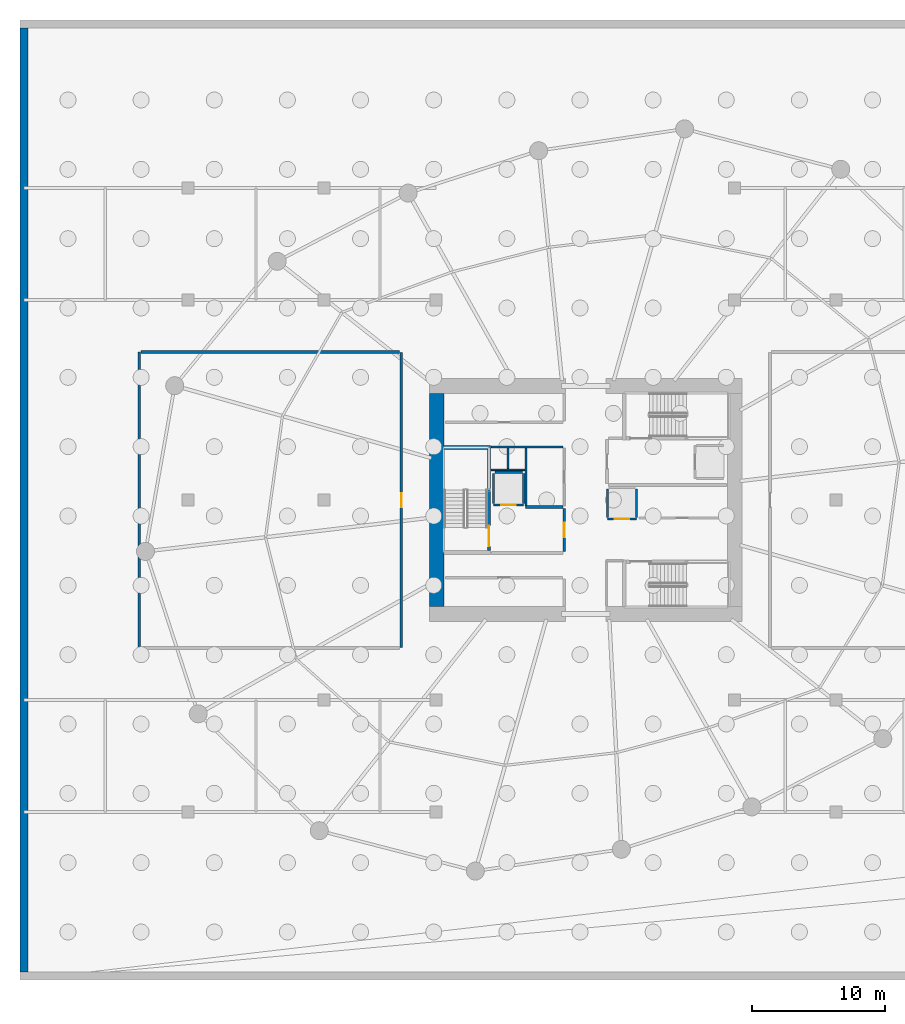
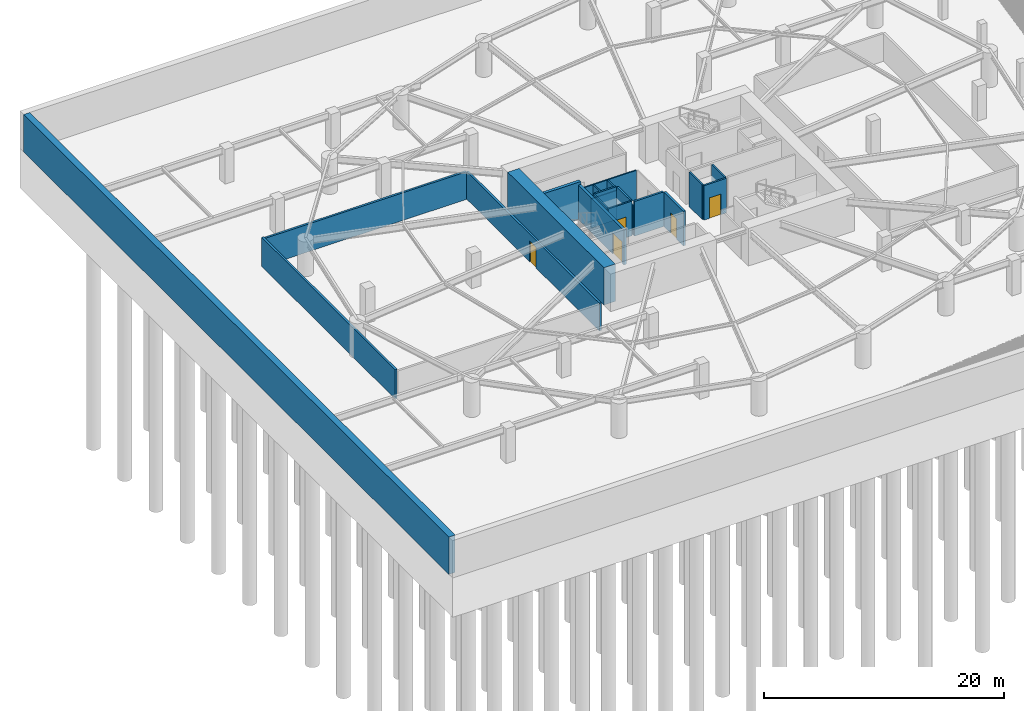
# One storey, part 8 of 12: 20 walls, 5 doors, 5 openings.
"""IFC4 building model written with IfcOpenShell, lengths in metres."""

from ifc_helpers import new_model, si_unit, direction, frame, frame_2d, origin, place, context, subcontext, project, spatial, rectangle, extrude, material, layer, layer_set, type_object, element, fill, save


model = new_model("IFC4")

# Units and contexts
model_context = context("Model", 3, precision=1e-05, world=origin(), true_north=direction((0.0, 1.0)))
body_context = subcontext(model_context, "Body", "Model", "MODEL_VIEW")
ifc_project = project(units=[si_unit("LENGTHUNIT", "METRE"), si_unit("AREAUNIT", "SQUARE_METRE"), si_unit("VOLUMEUNIT", "CUBIC_METRE"), si_unit("PLANEANGLEUNIT", "RADIAN"), si_unit("MASSUNIT", "GRAM", prefix="KILO")], contexts=[model_context])

# Site, building, storey
site_placement = place(None, origin())
site = spatial("IfcSite", under=ifc_project, at=site_placement, CompositionType="ELEMENT")
building_placement = place(site_placement, origin())
building = spatial("IfcBuilding", under=site, at=building_placement, Name="Kazma Halo Residences", CompositionType="ELEMENT")
storey_placement = place(building_placement, frame((0.0, 0.0, -7.60009765625)))
storey = spatial("IfcBuildingStorey", under=building, at=storey_placement, Name="B02", CompositionType="ELEMENT", Elevation=-7.60009765625)

# Walls
ifc_material_1 = material(Name="Concrete C80/95", Category="concrete")
ifc_layer_1 = layer(ifc_material_1, 1.10009765625)
ifc_layer_set_1 = layer_set([ifc_layer_1], Name="Concrete C80/95")
wall_type_1 = type_object("IfcWallType", Name="WL-CORE-1100", PredefinedType="SHEAR", material=ifc_layer_set_1)
wall_1_placement = place(storey_placement, frame((37.25, 34.0, 0.0), z_axis=(0.0, 0.0, 1.0), x_axis=(0.0, 1.0, 0.0)))
element("IfcWall", 1, at=wall_1_placement, inside=storey, type_object=wall_type_1, Name="B02 central core shear wall W", PredefinedType="SHEAR", context=body_context, shape_type="SweptSolid", body=[
    extrude(rectangle(XDim=16.0, YDim=1.10009765625, at=frame_2d((8.0, 0.0))), origin(), (0.0, 0.0, 1.0), 3.800048828125),
])
ifc_material_2 = material(Name="Concrete C60/75", Category="concrete")
ifc_layer_2 = layer(ifc_material_2, 0.280029296875)
ifc_layer_set_2 = layer_set([ifc_layer_2], Name="Concrete C60/75")
wall_type_2 = type_object("IfcWallType", Name="WL-CORE-ST-280", PredefinedType="SHEAR", material=ifc_layer_set_2)
wall_2_placement = place(storey_placement, frame((37.800048828125, 45.93994140625, 0.0), z_axis=(0.0, 0.0, 1.0), x_axis=(1.0, 0.0, 0.0)))
element("IfcWall", 2, at=wall_2_placement, inside=storey, type_object=wall_type_2, Name="B02 stairwell bearing wall ST01-N", PredefinedType="SHEAR", context=body_context, shape_type="SweptSolid", body=[
    extrude(rectangle(XDim=3.5, YDim=0.280029296875, at=frame_2d((1.75, 0.0))), origin(), (0.0, 0.0, 1.0), 3.800048828125),
])

# Wall, opening, door
ifc_material_3 = material(Name="Fire-Rated Blockwork Masonry", Category="masonry")
ifc_layer_3 = layer(ifc_material_3, 0.199951171875)
ifc_layer_set_3 = layer_set([ifc_layer_3], Name="Fire-Rated Blockwork Masonry")
wall_type_3 = type_object("IfcWallType", Name="WL-FLB-200", PredefinedType="PARTITIONING", material=ifc_layer_set_3)
wall_3_placement = place(storey_placement, frame((43.780029296875, 41.6201171875, 0.0), z_axis=(0.0, 0.0, 1.0), x_axis=(-1.0, 0.0, 0.0)))
wall_3 = element("IfcWall", 3, at=wall_3_placement, inside=storey, type_object=wall_type_3, Name="B02 lift shaft FL-01 front wall", PredefinedType="PARTITIONING", context=body_context, shape_type="SweptSolid", body=[
    extrude(rectangle(XDim=2.260009765625, YDim=0.159912109375, at=frame_2d((1.1298828125, 0.0))), origin(), (0.0, 0.0, 1.0), 3.52001953125),
])
opening_1_placement = place(wall_3_placement, frame((0.580078125, 0.0, 0.0)))
opening_1 = element("IfcOpeningElement", 4, at=opening_1_placement, cuts=wall_3, Name="Opening LD-FL-01", PredefinedType="OPENING", context=body_context, shape_type="SweptSolid", body=[
    extrude(rectangle(XDim=1.10009765625, YDim=2.10009765625, at=frame_2d((0.550048828125, 1.050048828125))), frame((0.0, 0.08984375, 0.0), z_axis=(0.0, -1.0, 0.0), x_axis=(1.0, 0.0, 0.0)), (0.0, 0.0, 1.0), 0.179931640625),
])
ifc_material_4 = material(Name="Stainless Steel Fire-Rated", Category="steel")
door_type_1 = type_object("IfcDoorType", Name="DR-LIFT-SLD-1100", OperationType="DOUBLE_DOOR_SLIDING", PredefinedType="DOOR", material=ifc_material_4)
door_1_placement = place(opening_1_placement, origin())
door_1 = element("IfcDoor", 5, at=door_1_placement, inside=storey, type_object=door_type_1, Name="B02 lift FL-01 sliding landing door", OperationType="DOUBLE_DOOR_SLIDING", OverallHeight=2.10009765625, OverallWidth=1.10009765625, PredefinedType="DOOR", context=body_context, shape_type="SweptSolid", body=[
    extrude(rectangle(XDim=1.10009765625, YDim=2.10009765625, at=frame_2d((0.550048828125, 1.050048828125))), frame((0.0, 0.02490234375, 0.0), z_axis=(0.0, -1.0, 0.0), x_axis=(1.0, 0.0, 0.0)), (0.0, 0.0, 1.0), 0.050048828125),
])
fill(opening_1, door_1)

# Walls
for number, where, z_axis, x_axis, name in (
    (6, (43.780029296875, 41.719970703125, 0.0), (0.0, 0.0, 1.0), (0.0, 1.0, 0.0), "B02 lift shaft FL-01 side wall E"),
    (7, (41.52001953125, 41.719970703125, 0.0), (0.0, 0.0, 1.0), (0.0, 1.0, 0.0), "B02 lift shaft FL-01 side wall W"),
):
    element("IfcWall", number, at=place(storey_placement, frame(where, z_axis=z_axis, x_axis=x_axis)), inside=storey, type_object=wall_type_3, Name=name, PredefinedType="PARTITIONING", context=body_context, shape_type="SweptSolid", body=[
        extrude(rectangle(XDim=2.260009765625, YDim=0.159912109375, at=frame_2d((1.1298828125, 0.0))), origin(), (0.0, 0.0, 1.0), 3.52001953125),
    ])
wall_4_placement = place(storey_placement, frame((41.6201171875, 44.080078125, 0.0), z_axis=(0.0, 0.0, 1.0), x_axis=(1.0, 0.0, 0.0)))
element("IfcWall", 8, at=wall_4_placement, inside=storey, type_object=wall_type_3, Name="B02 lift shaft FL-01 side wall N", PredefinedType="PARTITIONING", context=body_context, shape_type="SweptSolid", body=[
    extrude(rectangle(XDim=2.059814453125, YDim=0.159912109375, at=frame_2d((1.02978515625, 0.0))), origin(), (0.0, 0.0, 1.0), 3.52001953125),
])

# Wall, opening, door
wall_5_placement = place(storey_placement, frame((52.22998046875, 40.570068359375, 0.0), z_axis=(0.0, 0.0, 1.0), x_axis=(-1.0, 0.0, 0.0)))
wall_5 = element("IfcWall", 9, at=wall_5_placement, inside=storey, type_object=wall_type_3, Name="B02 lift shaft SV-01 front wall", PredefinedType="PARTITIONING", context=body_context, shape_type="SweptSolid", body=[
    extrude(rectangle(XDim=2.159912109375, YDim=0.159912109375, at=frame_2d((1.080078125, 0.0))), origin(), (0.0, 0.0, 1.0), 3.52001953125),
])
opening_2_placement = place(wall_5_placement, frame((0.530029296875, 0.0, 0.0)))
opening_2 = element("IfcOpeningElement", 10, at=opening_2_placement, cuts=wall_5, Name="Opening LD-SV-01", PredefinedType="OPENING", context=body_context, shape_type="SweptSolid", body=[
    extrude(rectangle(XDim=1.10009765625, YDim=2.10009765625, at=frame_2d((0.550048828125, 1.050048828125))), frame((0.0, 0.08984375, 0.0), z_axis=(0.0, -1.0, 0.0), x_axis=(1.0, 0.0, 0.0)), (0.0, 0.0, 1.0), 0.179931640625),
])
door_2_placement = place(opening_2_placement, origin())
door_2 = element("IfcDoor", 11, at=door_2_placement, inside=storey, type_object=door_type_1, Name="B02 lift SV-01 sliding landing door", OperationType="DOUBLE_DOOR_SLIDING", OverallHeight=2.10009765625, OverallWidth=1.10009765625, PredefinedType="DOOR", context=body_context, shape_type="SweptSolid", body=[
    extrude(rectangle(XDim=1.10009765625, YDim=2.10009765625, at=frame_2d((0.550048828125, 1.050048828125))), frame((0.0, 0.02490234375, 0.0), z_axis=(0.0, -1.0, 0.0), x_axis=(1.0, 0.0, 0.0)), (0.0, 0.0, 1.0), 0.050048828125),
])
fill(opening_2, door_2)

# Walls
for number, where, z_axis, x_axis, name in (
    (12, (52.22998046875, 40.669921875, 0.0), (0.0, 0.0, 1.0), (0.0, 1.0, 0.0), "B02 lift shaft SV-01 side wall E"),
    (13, (50.070068359375, 40.669921875, 0.0), (0.0, 0.0, 1.0), (0.0, 1.0, 0.0), "B02 lift shaft SV-01 side wall W"),
):
    element("IfcWall", number, at=place(storey_placement, frame(where, z_axis=z_axis, x_axis=x_axis)), inside=storey, type_object=wall_type_3, Name=name, PredefinedType="PARTITIONING", context=body_context, shape_type="SweptSolid", body=[
        extrude(rectangle(XDim=2.16015625, YDim=0.159912109375, at=frame_2d((1.080078125, 0.0))), origin(), (0.0, 0.0, 1.0), 3.52001953125),
    ])
wall_6_placement = place(storey_placement, frame((43.919921875, 41.47998046875, 0.0), z_axis=(0.0, 0.0, 1.0), x_axis=(1.0, 0.0, 0.0)))
element("IfcWall", 14, at=wall_6_placement, inside=storey, type_object=wall_type_3, Name="B02 west firefighting lobby north smoke wall", PredefinedType="PARTITIONING", context=body_context, shape_type="SweptSolid", body=[
    extrude(rectangle(XDim=2.800048828125, YDim=0.199951171875, at=frame_2d((1.39990234375, 0.0))), origin(), (0.0, 0.0, 1.0), 3.52001953125),
])

# Wall, opening, door
wall_7_placement = place(storey_placement, frame((46.820068359375, 38.1201171875, 0.0), z_axis=(0.0, 0.0, 1.0), x_axis=(0.0, 1.0, 0.0)))
wall_7 = element("IfcWall", 15, at=wall_7_placement, inside=storey, type_object=wall_type_3, Name="B02 west firefighting lobby smoke wall", PredefinedType="PARTITIONING", context=body_context, shape_type="SweptSolid", body=[
    extrude(rectangle(XDim=3.259765625, YDim=0.199951171875, at=frame_2d((1.6298828125, 0.0))), origin(), (0.0, 0.0, 1.0), 3.52001953125),
])
opening_3_placement = place(wall_7_placement, frame((1.10498046875, 0.0, 0.0)))
opening_3 = element("IfcOpeningElement", 16, at=opening_3_placement, cuts=wall_7, Name="Opening D-FLW", PredefinedType="OPENING", context=body_context, shape_type="SweptSolid", body=[
    extrude(rectangle(XDim=1.050048828125, YDim=2.10009765625, at=frame_2d((0.52490234375, 1.050048828125))), frame((0.0, 0.10986328125, 0.0), z_axis=(0.0, -1.0, 0.0), x_axis=(1.0, 0.0, 0.0)), (0.0, 0.0, 1.0), 0.219970703125),
])
ifc_material_5 = material(Name="Fire-Rated Steel Leaf", Category="steel")
door_type_2 = type_object("IfcDoorType", Name="DR-FD90-1050", OperationType="NOTDEFINED", PredefinedType="DOOR", material=ifc_material_5)
door_3_placement = place(opening_3_placement, origin())
door_3 = element("IfcDoor", 17, at=door_3_placement, inside=storey, type_object=door_type_2, Name="B02 west firefighting lobby smoke door", OperationType="SINGLE_SWING_LEFT", OverallHeight=2.10009765625, OverallWidth=1.050048828125, PredefinedType="DOOR", context=body_context, shape_type="SweptSolid", body=[
    extrude(rectangle(XDim=1.050048828125, YDim=2.10009765625, at=frame_2d((0.52490234375, 1.050048828125))), frame((0.0, 0.02490234375, 0.0), z_axis=(0.0, -1.0, 0.0), x_axis=(1.0, 0.0, 0.0)), (0.0, 0.0, 1.0), 0.050048828125),
])
fill(opening_3, door_3)

# Walls
wall_8_placement = place(storey_placement, frame((14.949951171875, 30.89990234375, 0.0), z_axis=(0.0, 0.0, 1.0), x_axis=(0.0, 1.0, 0.0)))
element("IfcWall", 18, at=wall_8_placement, inside=storey, type_object=wall_type_3, Name="B02 west plant west wall", PredefinedType="PARTITIONING", context=body_context, shape_type="SweptSolid", body=[
    extrude(rectangle(XDim=22.2001953125, YDim=0.199951171875, at=frame_2d((11.10009765625, 0.0))), origin(), (0.0, 0.0, 1.0), 2.960205078125),
])
wall_9_placement = place(storey_placement, frame((15.070068359375, 53.10009765625, 0.0), z_axis=(0.0, 0.0, 1.0), x_axis=(1.0, 0.0, 0.0)))
element("IfcWall", 19, at=wall_9_placement, inside=storey, type_object=wall_type_3, Name="B02 west plant north wall", PredefinedType="PARTITIONING", context=body_context, shape_type="SweptSolid", body=[
    extrude(rectangle(XDim=19.409912109375, YDim=0.199951171875, at=frame_2d((9.705078125, 0.0))), origin(), (0.0, 0.0, 1.0), 2.81103515625),
])

# Wall, opening, door
wall_10_placement = place(storey_placement, frame((34.60009765625, 30.949951171875, 0.0), z_axis=(0.0, 0.0, 1.0), x_axis=(0.0, 1.0, 0.0)))
wall_10 = element("IfcWall", 20, at=wall_10_placement, inside=storey, type_object=wall_type_3, Name="B02 basement plant room W fire wall", PredefinedType="PARTITIONING", context=body_context, shape_type="SweptSolid", body=[
    extrude(rectangle(XDim=22.10009765625, YDim=0.199951171875, at=frame_2d((11.050048828125, 0.0))), origin(), (0.0, 0.0, 1.0), 2.81103515625),
])
opening_4_placement = place(wall_10_placement, frame((10.52490234375, 0.0, 0.0)))
opening_4 = element("IfcOpeningElement", 21, at=opening_4_placement, cuts=wall_10, Name="Opening DF-1050", PredefinedType="OPENING", context=body_context, shape_type="SweptSolid", body=[
    extrude(rectangle(XDim=1.050048828125, YDim=2.10009765625, at=frame_2d((0.52490234375, 1.050048828125))), frame((0.0, 0.10986328125, 0.0), z_axis=(0.0, -1.0, 0.0), x_axis=(1.0, 0.0, 0.0)), (0.0, 0.0, 1.0), 0.219970703125),
])
door_4_placement = place(opening_4_placement, origin())
door_4 = element("IfcDoor", 22, at=door_4_placement, inside=storey, type_object=door_type_2, Name="B02 basement plant W personnel door", OperationType="SINGLE_SWING_LEFT", OverallHeight=2.10009765625, OverallWidth=1.050048828125, PredefinedType="DOOR", context=body_context, shape_type="SweptSolid", body=[
    extrude(rectangle(XDim=1.050048828125, YDim=2.10009765625, at=frame_2d((0.52490234375, 1.050048828125))), frame((0.0, 0.02490234375, 0.0), z_axis=(0.0, -1.0, 0.0), x_axis=(1.0, 0.0, 0.0)), (0.0, 0.0, 1.0), 0.050048828125),
])
fill(opening_4, door_4)

# Walls
ifc_material_6 = material(Name="Gypsum Plasterboard Partition")
ifc_layer_4 = layer(ifc_material_6, 0.125)
ifc_layer_set_4 = layer_set([ifc_layer_4], Name="Gypsum Plasterboard Partition")
wall_type_4 = type_object("IfcWallType", Name="WL-PART-125", PredefinedType="PARTITIONING", material=ifc_layer_set_4)
wall_11_placement = place(storey_placement, frame((41.360107421875, 45.97998046875, 0.0), z_axis=(0.0, 0.0, 1.0), x_axis=(1.0, 0.0, 0.0)))
element("IfcWall", 23, at=wall_11_placement, inside=storey, type_object=wall_type_4, Name="B02 core north riser wall", PredefinedType="PARTITIONING", context=body_context, shape_type="SweptSolid", body=[
    extrude(rectangle(XDim=5.35986328125, YDim=0.125, at=frame_2d((2.679931640625, 0.0))), origin(), (0.0, 0.0, 1.0), 2.960205078125),
])
wall_12_placement = place(storey_placement, frame((41.360107421875, 44.260009765625, 0.0), z_axis=(0.0, 0.0, 1.0), x_axis=(1.0, 0.0, 0.0)))
element("IfcWall", 24, at=wall_12_placement, inside=storey, type_object=wall_type_4, Name="B02 core riser south wall", PredefinedType="PARTITIONING", context=body_context, shape_type="SweptSolid", body=[
    extrude(rectangle(XDim=2.5, YDim=0.125, at=frame_2d((1.25, 0.0))), origin(), (0.0, 0.0, 1.0), 2.960205078125),
])
wall_13_placement = place(storey_placement, frame((42.60009765625, 44.35009765625, 0.0), z_axis=(0.0, 0.0, 1.0), x_axis=(0.0, 1.0, 0.0)))
element("IfcWall", 25, at=wall_13_placement, inside=storey, type_object=wall_type_4, Name="B02 core riser divider wall", PredefinedType="PARTITIONING", context=body_context, shape_type="SweptSolid", body=[
    extrude(rectangle(XDim=1.5498046875, YDim=0.125, at=frame_2d((0.77490234375, 0.0))), origin(), (0.0, 0.0, 1.0), 2.960205078125),
])
wall_14_placement = place(storey_placement, frame((43.949951171875, 41.580078125, 0.0), z_axis=(0.0, 0.0, 1.0), x_axis=(0.0, 1.0, 0.0)))
element("IfcWall", 26, at=wall_14_placement, inside=storey, type_object=wall_type_4, Name="B02 core service west wall", PredefinedType="PARTITIONING", context=body_context, shape_type="SweptSolid", body=[
    extrude(rectangle(XDim=4.31982421875, YDim=0.125, at=frame_2d((2.159912109375, 0.0))), origin(), (0.0, 0.0, 1.0), 2.960205078125),
])
ifc_material_7 = material(Name="Concrete C50/60", Category="concrete")
ifc_layer_5 = layer(ifc_material_7, 0.60009765625)
ifc_layer_set_5 = layer_set([ifc_layer_5], Name="Concrete C50/60")
wall_type_5 = type_object("IfcWallType", Name="WL-RET-600", PredefinedType="USERDEFINED", material=ifc_layer_set_5)
wall_15_placement = place(storey_placement, frame((6.300048828125, 6.60009765625, 0.0), z_axis=(0.0, 0.0, 1.0), x_axis=(0.0, 1.0, 0.0)))
element("IfcWall", 27, at=wall_15_placement, inside=storey, type_object=wall_type_5, Name="B02 W perimeter retaining wall", ObjectType="RETAININGWALL", PredefinedType="USERDEFINED", context=body_context, shape_type="SweptSolid", body=[
    extrude(rectangle(XDim=70.7998046875, YDim=0.60009765625, at=frame_2d((35.39990234375, 0.0))), origin(), (0.0, 0.0, 1.0), 3.800048828125),
])

# Wall, opening, door
ifc_layer_6 = layer(ifc_material_7, 0.25)
ifc_layer_set_6 = layer_set([ifc_layer_6], Name="Concrete C50/60")
wall_type_6 = type_object("IfcWallType", Name="WL-SHF-250", PredefinedType="SOLIDWALL", material=ifc_layer_set_6)
wall_16_placement = place(storey_placement, frame((41.179931640625, 38.219970703125, 0.0), z_axis=(0.0, 0.0, 1.0), x_axis=(0.0, 1.0, 0.0)))
wall_16 = element("IfcWall", 28, at=wall_16_placement, inside=storey, type_object=wall_type_6, Name="B02 exit stair ST-01 enclosure wall", PredefinedType="SOLIDWALL", context=body_context, shape_type="SweptSolid", body=[
    extrude(rectangle(XDim=7.56005859375, YDim=0.25, at=frame_2d((3.780029296875, 0.0))), origin(), (0.0, 0.0, 1.0), 3.52001953125),
])
opening_5_placement = place(wall_16_placement, frame((0.300048828125, 0.0, 0.0)))
opening_5 = element("IfcOpeningElement", 29, at=opening_5_placement, cuts=wall_16, Name="Opening D-ST1", PredefinedType="OPENING", context=body_context, shape_type="SweptSolid", body=[
    extrude(rectangle(XDim=1.550048828125, YDim=2.14990234375, at=frame_2d((0.77490234375, 1.074951171875))), frame((0.0, 0.135009765625, 0.0), z_axis=(0.0, -1.0, 0.0), x_axis=(1.0, 0.0, 0.0)), (0.0, 0.0, 1.0), 0.27001953125),
])
ifc_material_8 = material(Name="Fire-Rated Double Steel Leaf", Category="steel")
door_type_3 = type_object("IfcDoorType", Name="DR-FD90-1550", OperationType="NOTDEFINED", PredefinedType="DOOR", material=ifc_material_8)
door_5_placement = place(opening_5_placement, origin())
door_5 = element("IfcDoor", 30, at=door_5_placement, inside=storey, type_object=door_type_3, Name="B02 exit stair ST-01 fire door", OperationType="DOUBLE_DOOR_SINGLE_SWING", OverallHeight=2.14990234375, OverallWidth=1.550048828125, PredefinedType="DOOR", context=body_context, shape_type="SweptSolid", body=[
    extrude(rectangle(XDim=1.550048828125, YDim=2.14990234375, at=frame_2d((0.77490234375, 1.074951171875))), frame((0.0, 0.02490234375, 0.0), z_axis=(0.0, -1.0, 0.0), x_axis=(1.0, 0.0, 0.0)), (0.0, 0.0, 1.0), 0.050048828125),
])
fill(opening_5, door_5)

save(model, "model.ifc")
